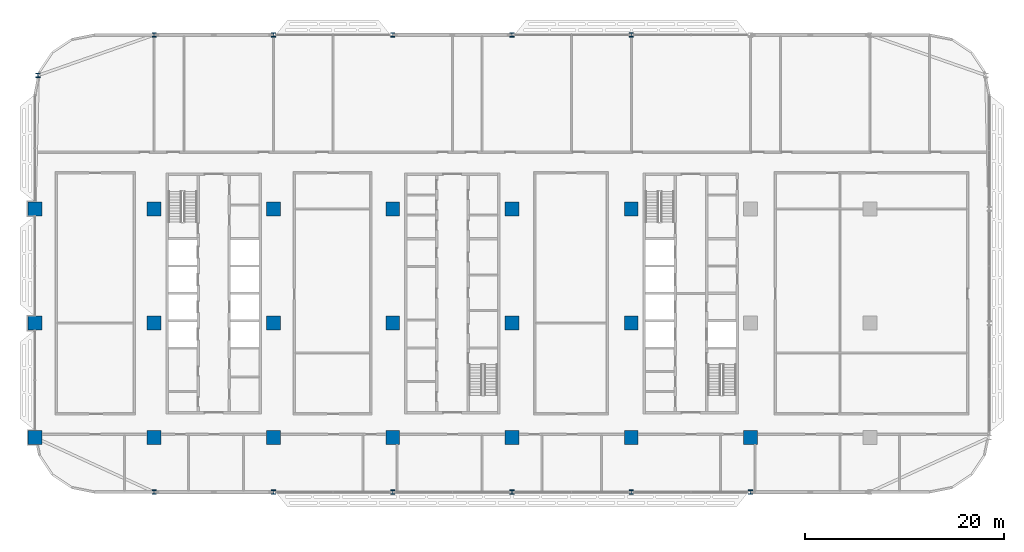
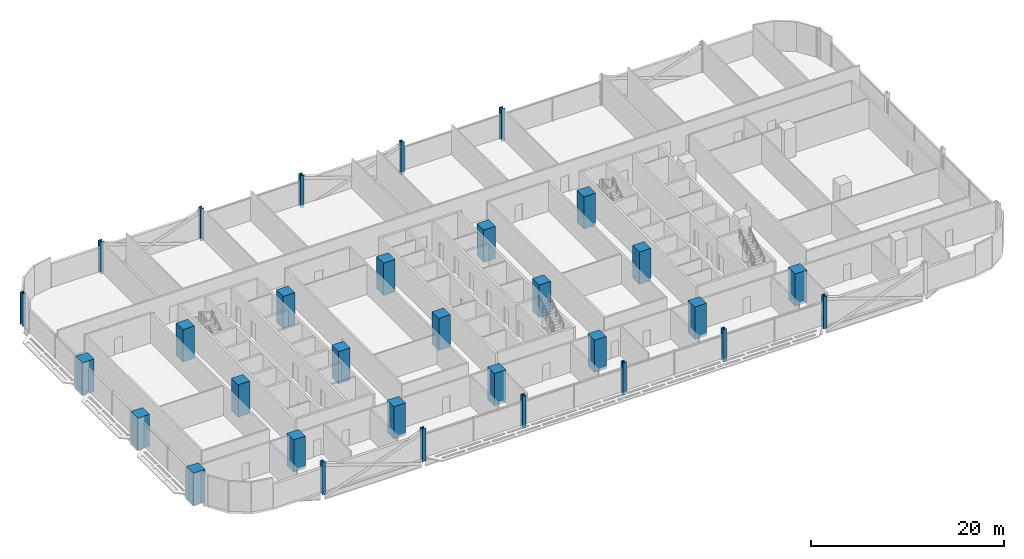
# One storey, part 1 of 29: 31 columns.
"""IFC4 building model written with IfcOpenShell, lengths in metres."""

from ifc_helpers import new_model, si_unit, direction, frame, origin, origin_2d, place, context, subcontext, project, spatial, rectangle, i_section, extrude, material, material_profile, profile_set, type_object, element, save


model = new_model("IFC4")

# Units and contexts
model_context = context("Model", 3, precision=1e-05, world=origin(), true_north=direction((0.0, 1.0)))
body_context = subcontext(model_context, "Body", "Model", "MODEL_VIEW")
ifc_project = project(units=[si_unit("LENGTHUNIT", "METRE"), si_unit("AREAUNIT", "SQUARE_METRE"), si_unit("VOLUMEUNIT", "CUBIC_METRE"), si_unit("PLANEANGLEUNIT", "RADIAN"), si_unit("MASSUNIT", "GRAM", prefix="KILO")], contexts=[model_context])

# Site, building, storey
site_placement = place(None, origin())
site = spatial("IfcSite", under=ifc_project, at=site_placement, CompositionType="ELEMENT")
building_placement = place(site_placement, origin())
building = spatial("IfcBuilding", under=site, at=building_placement, Name="Mahtab Terrace Research Tower", CompositionType="ELEMENT")
storey_placement = place(building_placement, frame((0.0, 0.0, 93.0)))
storey = spatial("IfcBuildingStorey", under=building, at=storey_placement, Name="L21", CompositionType="ELEMENT", Elevation=93.0)

# Columns
ifc_material_1 = material(Name="Concrete C70/85", Category="concrete")
ifc_material_profile_1 = material_profile(ifc_material_1, rectangle(XDim=1.39990234375, YDim=1.39990234375, at=origin_2d()), Name="RC column 1400x1400")
ifc_profile_set_1 = profile_set([ifc_material_profile_1], Name="Concrete C70/85")
column_type_1 = type_object("IfcColumnType", Name="RC column 1400x1400", PredefinedType="COLUMN", material=ifc_profile_set_1)
for number, where, z_axis, x_axis, name in (
    (1, (-42.0, -11.5, -0.340087890625), (0.0, 0.0, 1.0), (1.0, 0.0, 0.0), "Column RC-1A L21"),
    (2, (-42.0, 0.0, -0.340087890625), (0.0, 0.0, 1.0), (1.0, 0.0, 0.0), "Column RC-1B L21"),
    (3, (-42.0, 11.5, -0.340087890625), (0.0, 0.0, 1.0), (1.0, 0.0, 0.0), "Column RC-1C L21"),
    (4, (-30.0, -11.5, -0.340087890625), (0.0, 0.0, 1.0), (1.0, 0.0, 0.0), "Column RC-2A L21"),
    (5, (-30.0, 0.0, -0.340087890625), (0.0, 0.0, 1.0), (1.0, 0.0, 0.0), "Column RC-2B L21"),
    (6, (-30.0, 11.5, -0.340087890625), (0.0, 0.0, 1.0), (1.0, 0.0, 0.0), "Column RC-2C L21"),
    (7, (-18.0, -11.5, -0.340087890625), (0.0, 0.0, 1.0), (1.0, 0.0, 0.0), "Column RC-3A L21"),
    (8, (-18.0, 0.0, -0.340087890625), (0.0, 0.0, 1.0), (1.0, 0.0, 0.0), "Column RC-3B L21"),
    (9, (-18.0, 11.5, -0.340087890625), (0.0, 0.0, 1.0), (1.0, 0.0, 0.0), "Column RC-3C L21"),
    (10, (-6.0, -11.5, -0.340087890625), (0.0, 0.0, 1.0), (1.0, 0.0, 0.0), "Column RC-4A L21"),
    (11, (-6.0, 0.0, -0.340087890625), (0.0, 0.0, 1.0), (1.0, 0.0, 0.0), "Column RC-4B L21"),
    (12, (-6.0, 11.5, -0.340087890625), (0.0, 0.0, 1.0), (1.0, 0.0, 0.0), "Column RC-4C L21"),
    (13, (6.0, -11.5, -0.340087890625), (0.0, 0.0, 1.0), (1.0, 0.0, 0.0), "Column RC-5A L21"),
    (14, (6.0, 0.0, -0.340087890625), (0.0, 0.0, 1.0), (1.0, 0.0, 0.0), "Column RC-5B L21"),
    (15, (6.0, 11.5, -0.340087890625), (0.0, 0.0, 1.0), (1.0, 0.0, 0.0), "Column RC-5C L21"),
    (16, (18.0, -11.5, -0.340087890625), (0.0, 0.0, 1.0), (1.0, 0.0, 0.0), "Column RC-6A L21"),
    (17, (18.0, 0.0, -0.340087890625), (0.0, 0.0, 1.0), (1.0, 0.0, 0.0), "Column RC-6B L21"),
    (18, (18.0, 11.5, -0.340087890625), (0.0, 0.0, 1.0), (1.0, 0.0, 0.0), "Column RC-6C L21"),
    (19, (30.0, -11.5, -0.340087890625), (0.0, 0.0, 1.0), (1.0, 0.0, 0.0), "Column RC-7A L21"),
):
    element("IfcColumn", number, at=place(storey_placement, frame(where, z_axis=z_axis, x_axis=x_axis)), inside=storey, type_object=column_type_1, Name=name, PredefinedType="COLUMN", context=body_context, shape_type="SweptSolid", body=[
        extrude(rectangle(XDim=1.39990234375, YDim=1.39990234375, at=origin_2d()), origin(), (0.0, 0.0, 1.0), 4.10009765625),
    ])
ifc_material_2 = material(Name="Steel ASTM A992 Gr 50", Category="steel")
ifc_material_profile_2 = material_profile(ifc_material_2, i_section(OverallWidth=0.419189453125, OverallDepth=0.45458984375, WebThickness=0.042236328125, FlangeThickness=0.067626953125, at=origin_2d()), Name="W14X370")
ifc_profile_set_2 = profile_set([ifc_material_profile_2], Name="Steel ASTM A992 Gr 50")
column_type_2 = type_object("IfcColumnType", Name="W14x370 column CS14370", PredefinedType="COLUMN", material=ifc_profile_set_2)
for number, where, z_axis, x_axis, name in (
    (20, (18.0, 29.0, -0.340087890625), (0.0, 0.0, 1.0), (1.0, 0.0, 0.0), "Column SC-033 L21"),
    (21, (6.0, 29.0, -0.340087890625), (0.0, 0.0, 1.0), (1.0, 0.0, 0.0), "Column SC-034 L21"),
    (22, (-6.0, 29.0, -0.340087890625), (0.0, 0.0, 1.0), (1.0, 0.0, 0.0), "Column SC-035 L21"),
    (23, (-18.0, 29.0, -0.340087890625), (0.0, 0.0, 1.0), (1.0, 0.0, 0.0), "Column SC-036 L21"),
    (24, (-30.0, 29.0, -0.340087890625), (0.0, 0.0, 1.0), (1.0, 0.0, 0.0), "Column SC-037 L21"),
    (25, (-41.681884765625, 24.927001953125, -0.340087890625), (0.0, 0.0, 1.0), (1.0, 0.0, 0.0), "Column SC-038 L21"),
    (26, (-30.0, -17.0, -0.340087890625), (0.0, 0.0, 1.0), (1.0, 0.0, 0.0), "Column SC-039 L21"),
    (27, (-18.0, -17.0, -0.340087890625), (0.0, 0.0, 1.0), (1.0, 0.0, 0.0), "Column SC-040 L21"),
    (28, (-6.0, -17.0, -0.340087890625), (0.0, 0.0, 1.0), (1.0, 0.0, 0.0), "Column SC-041 L21"),
    (29, (6.0, -17.0, -0.340087890625), (0.0, 0.0, 1.0), (1.0, 0.0, 0.0), "Column SC-042 L21"),
    (30, (18.0, -17.0, -0.340087890625), (0.0, 0.0, 1.0), (1.0, 0.0, 0.0), "Column SC-043 L21"),
    (31, (30.0, -17.0, -0.340087890625), (0.0, 0.0, 1.0), (1.0, 0.0, 0.0), "Column SC-044 L21"),
):
    element("IfcColumn", number, at=place(storey_placement, frame(where, z_axis=z_axis, x_axis=x_axis)), inside=storey, type_object=column_type_2, Name=name, PredefinedType="COLUMN", context=body_context, shape_type="SweptSolid", body=[
        extrude(i_section(OverallWidth=0.419189453125, OverallDepth=0.45458984375, WebThickness=0.042236328125, FlangeThickness=0.067626953125, at=origin_2d()), origin(), (0.0, 0.0, 1.0), 4.10009765625),
    ])

save(model, "model.ifc")
